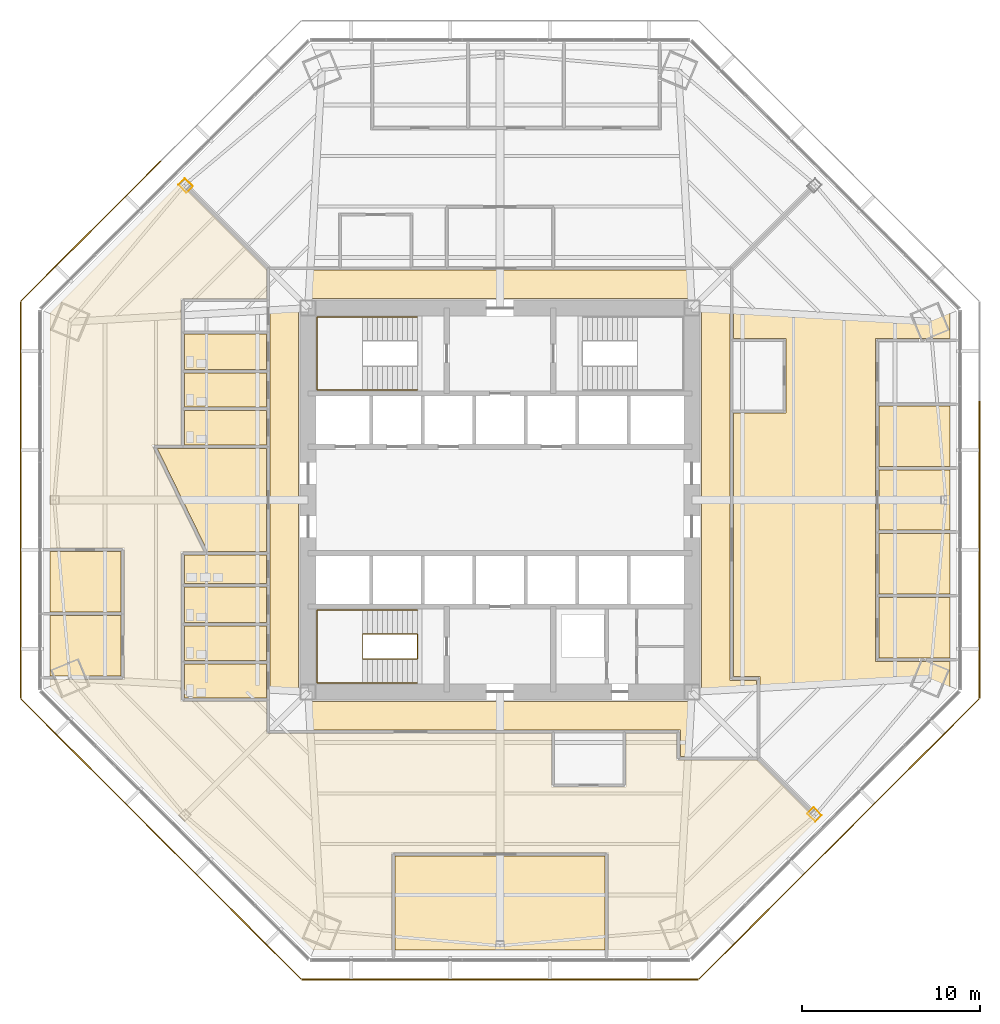
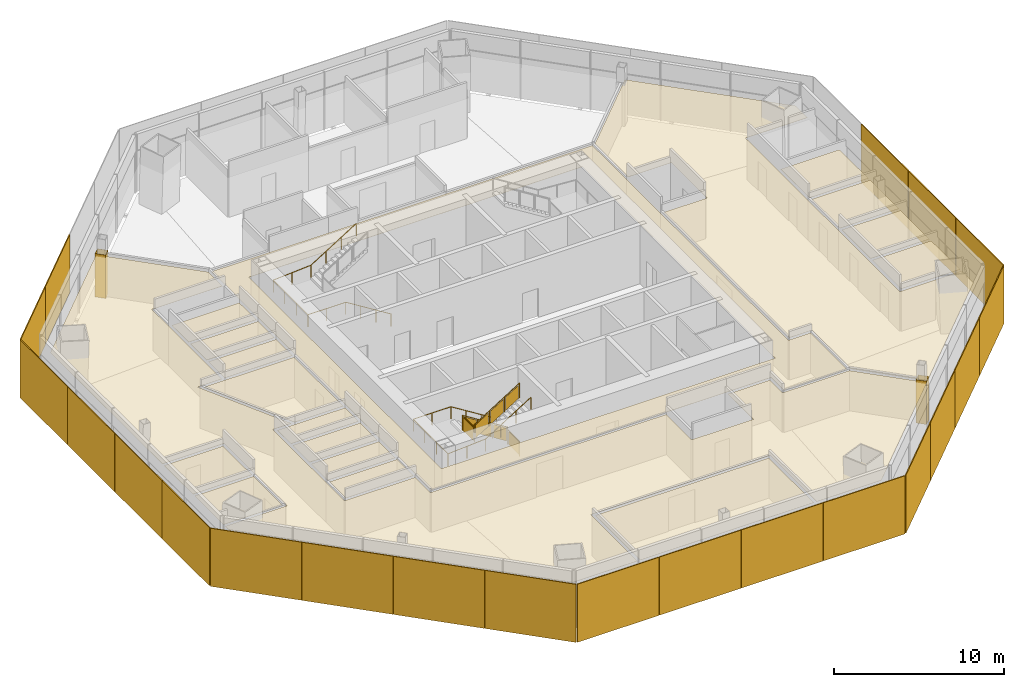
# One storey, part 13 of 15: 21 shading devices, 20 coverings, 3 railings.
"""IFC4 building model written with IfcOpenShell, lengths in metres."""

from ifc_helpers import new_model, si_unit, direction, frame, origin, origin_2d, place, context, subcontext, project, spatial, polyline, rectangle, circle, outline, extrude, source, transform, mapped, material, layer, layer_set, type_object, type_shapes, element, save


model = new_model("IFC4")

# Units and contexts
model_context = context("Model", 3, precision=1e-05, world=origin(), true_north=direction((0.0, 1.0)))
body_context = subcontext(model_context, "Body", "Model", "MODEL_VIEW")
ifc_project = project(units=[si_unit("LENGTHUNIT", "METRE"), si_unit("AREAUNIT", "SQUARE_METRE"), si_unit("VOLUMEUNIT", "CUBIC_METRE"), si_unit("PLANEANGLEUNIT", "RADIAN"), si_unit("MASSUNIT", "GRAM", prefix="KILO")], contexts=[model_context])

# Site, building, storey
site_placement = place(None, origin())
site = spatial("IfcSite", under=ifc_project, at=site_placement, CompositionType="ELEMENT")
building_placement = place(site_placement, origin())
building = spatial("IfcBuilding", under=site, at=building_placement, Name="Mashrafa Tower", CompositionType="ELEMENT")
storey_placement = place(building_placement, frame((0.0, 0.0, 75.0)))
storey = spatial("IfcBuildingStorey", under=building, at=storey_placement, Name="L16", CompositionType="ELEMENT", Elevation=75.0)

# Coverings
ifc_material_1 = material(Name="Gypsum board")
ifc_layer_1 = layer(ifc_material_1, 0.014892578125)
ifc_layer_set_1 = layer_set([ifc_layer_1], Name="Column casing plasterboard 15")
covering_type_1 = type_object("IfcCoveringType", Name="Column casing plasterboard 15", PredefinedType="CLADDING", material=ifc_layer_set_1)
covering_1_placement = place(storey_placement, origin())
element("IfcCovering", 1, at=covering_1_placement, inside=storey, type_object=covering_type_1, Name="Column casing L16-002", PredefinedType="CLADDING", context=body_context, shape_type="SweptSolid", body=[
    extrude(outline(polyline([(-18.118408203125, 17.74365234375), (-17.74365234375, 18.118408203125), (-17.28466796875, 17.659423828125), (-17.659423828125, 17.28466796875), (-18.118408203125, 17.74365234375)]), holes=[polyline([(-17.305908203125, 17.659423828125), (-17.74365234375, 18.09716796875), (-18.09716796875, 17.74365234375), (-17.659423828125, 17.305908203125), (-17.305908203125, 17.659423828125)])]), origin(), (0.0, 0.0, 1.0), 3.113037109375),
])
covering_2_placement = place(storey_placement, origin())
element("IfcCovering", 2, at=covering_2_placement, inside=storey, type_object=covering_type_1, Name="Column casing L16-003", PredefinedType="CLADDING", context=body_context, shape_type="SweptSolid", body=[
    extrude(outline(polyline([(17.28466796875, -17.659423828125), (17.659423828125, -17.28466796875), (18.118408203125, -17.74365234375), (17.74365234375, -18.118408203125), (17.28466796875, -17.659423828125)]), holes=[polyline([(18.09716796875, -17.74365234375), (17.659423828125, -17.305908203125), (17.305908203125, -17.659423828125), (17.74365234375, -18.09716796875), (18.09716796875, -17.74365234375)])]), origin(), (0.0, 0.0, 1.0), 3.113037109375),
])

# Railings
ifc_material_2 = material(Name="Steel guard with glass infill", Category="steel")
railing_type_1 = type_object("IfcRailingType", Name="Stair guard 1100", PredefinedType="GUARDRAIL", material=ifc_material_2)
railing_1_placement = place(storey_placement, frame((-4.64990234375, -8.949951171875, 0.0)))
element("IfcRailing", 3, at=railing_1_placement, inside=storey, type_object=railing_type_1, Name="Stair S3 guard L16", PredefinedType="GUARDRAIL", context=body_context, shape_type="SweptSolid", body=[
    extrude(circle(Radius=0.02392578125, at=origin_2d()), frame((0.0, 0.0, 1.076171875), z_axis=(0.0, 1.0, 0.0), x_axis=(-1.0, 0.0, 0.0)), (0.0, 0.0, 1.0), 1.39990234375),
    extrude(circle(Radius=0.02392578125, at=origin_2d()), frame((0.0, 1.39990234375, 1.076171875), z_axis=(0.0, 0.0, 1.0), x_axis=(1.0, 0.0, 0.0)), (0.0, 0.0, 1.0), 0.175048828125),
    extrude(circle(Radius=0.02392578125, at=origin_2d()), frame((0.0, 1.39990234375, 1.2509765625), z_axis=(-0.847998304005, 0.0, 0.529998940003), x_axis=(0.0, -1.0, 0.0)), (0.0, 0.0, 1.0), 3.632080078125),
    extrude(circle(Radius=0.02392578125, at=origin_2d()), frame((-3.080078125, 1.39990234375, 3.17626953125), z_axis=(0.0, -1.0, 0.0), x_axis=(1.0, 0.0, 0.0)), (0.0, 0.0, 1.0), 1.39990234375),
    extrude(circle(Radius=0.02392578125, at=origin_2d()), frame((-3.080078125, 0.0, 3.17626953125), z_axis=(0.0, 0.0, 1.0), x_axis=(1.0, 0.0, 0.0)), (0.0, 0.0, 1.0), 0.1748046875),
    extrude(circle(Radius=0.02392578125, at=origin_2d()), frame((-3.080078125, 0.0, 3.35107421875), z_axis=(0.847998304005, 0.0, 0.529998940003), x_axis=(0.0, 1.0, 0.0)), (0.0, 0.0, 1.0), 3.632080078125),
    extrude(circle(Radius=0.02099609375, at=origin_2d()), origin(), (0.0, 0.0, 1.0), 1.052001953125),
    extrude(circle(Radius=0.02099609375, at=origin_2d()), frame((0.0, 1.39990234375, 0.0)), (0.0, 0.0, 1.0), 1.052001953125),
    extrude(circle(Radius=0.02099609375, at=origin_2d()), frame((0.0, 1.39990234375, 0.175048828125)), (0.0, 0.0, 1.0), 1.052001953125),
    extrude(circle(Radius=0.02099609375, at=origin_2d()), frame((-1.026611328125, 1.39990234375, 0.816650390625)), (0.0, 0.0, 1.0), 1.052001953125),
    extrude(circle(Radius=0.02099609375, at=origin_2d()), frame((-2.053466796875, 1.39990234375, 1.45849609375)), (0.0, 0.0, 1.0), 1.052001953125),
    extrude(circle(Radius=0.02099609375, at=origin_2d()), frame((-3.080078125, 1.39990234375, 2.10009765625)), (0.0, 0.0, 1.0), 1.052001953125),
    extrude(circle(Radius=0.02099609375, at=origin_2d()), frame((-3.080078125, 0.0, 2.10009765625)), (0.0, 0.0, 1.0), 1.052001953125),
    extrude(circle(Radius=0.02099609375, at=origin_2d()), frame((-3.080078125, 0.0, 2.27490234375)), (0.0, 0.0, 1.0), 1.052001953125),
    extrude(circle(Radius=0.02099609375, at=origin_2d()), frame((-2.053466796875, 0.0, 2.91650390625)), (0.0, 0.0, 1.0), 1.052001953125),
    extrude(circle(Radius=0.02099609375, at=origin_2d()), frame((-1.026611328125, 0.0, 3.558349609375)), (0.0, 0.0, 1.0), 1.052001953125),
    extrude(circle(Radius=0.02099609375, at=origin_2d()), frame((0.0, 0.0, 4.199951171875)), (0.0, 0.0, 1.0), 1.052001953125),
    extrude(outline(polyline([(0.071044921875, 0.050048828125), (1.328857421875, 0.050048828125), (1.328857421875, 1.001953125), (0.071044921875, 1.001953125), (0.071044921875, 0.050048828125)])), frame((0.006103515625, 0.0, 0.0), z_axis=(1.0, 0.0, 0.0), x_axis=(0.0, 1.0, 0.0)), (0.0, 0.0, 1.0), 0.011962890625),
    extrude(outline(polyline([(0.071044921875, 0.094482421875), (0.955810546875, 0.647216796875), (0.955810546875, 1.599365234375), (0.071044921875, 1.04638671875), (0.071044921875, 0.094482421875)])), frame((0.0, 1.406005859375, 0.175048828125), z_axis=(0.0, 1.0, 0.0), x_axis=(-1.0, 0.0, 0.0)), (0.0, 0.0, 1.0), 0.011962890625),
    extrude(outline(polyline([(1.09765625, 0.736083984375), (1.982421875, 1.2890625), (1.982421875, 2.240966796875), (1.09765625, 1.68798828125), (1.09765625, 0.736083984375)])), frame((0.0, 1.406005859375, 0.175048828125), z_axis=(0.0, 1.0, 0.0), x_axis=(-1.0, 0.0, 0.0)), (0.0, 0.0, 1.0), 0.011962890625),
    extrude(outline(polyline([(2.124267578125, 1.377685546875), (3.009033203125, 1.9306640625), (3.009033203125, 2.882568359375), (2.124267578125, 2.329833984375), (2.124267578125, 1.377685546875)])), frame((0.0, 1.406005859375, 0.175048828125), z_axis=(0.0, 1.0, 0.0), x_axis=(-1.0, 0.0, 0.0)), (0.0, 0.0, 1.0), 0.011962890625),
    extrude(outline(polyline([(0.071044921875, 0.050048828125), (1.328857421875, 0.050048828125), (1.328857421875, 1.001953125), (0.071044921875, 1.001953125), (0.071044921875, 0.050048828125)])), frame((-3.086181640625, 1.39990234375, 2.10009765625), z_axis=(-1.0, 0.0, 0.0), x_axis=(0.0, -1.0, 0.0)), (0.0, 0.0, 1.0), 0.011962890625),
    extrude(outline(polyline([(0.071044921875, 0.094482421875), (0.955810546875, 0.647216796875), (0.955810546875, 1.599365234375), (0.071044921875, 1.04638671875), (0.071044921875, 0.094482421875)])), frame((-3.080078125, -0.006103515625, 2.27490234375), z_axis=(0.0, -1.0, 0.0), x_axis=(1.0, 0.0, 0.0)), (0.0, 0.0, 1.0), 0.011962890625),
    extrude(outline(polyline([(1.09765625, 0.736083984375), (1.982421875, 1.2890625), (1.982421875, 2.240966796875), (1.09765625, 1.68798828125), (1.09765625, 0.736083984375)])), frame((-3.080078125, -0.006103515625, 2.27490234375), z_axis=(0.0, -1.0, 0.0), x_axis=(1.0, 0.0, 0.0)), (0.0, 0.0, 1.0), 0.011962890625),
    extrude(outline(polyline([(2.124267578125, 1.377685546875), (3.009033203125, 1.9306640625), (3.009033203125, 2.882568359375), (2.124267578125, 2.329833984375), (2.124267578125, 1.377685546875)])), frame((-3.080078125, -0.006103515625, 2.27490234375), z_axis=(0.0, -1.0, 0.0), x_axis=(1.0, 0.0, 0.0)), (0.0, 0.0, 1.0), 0.011962890625),
])
ifc_material_3 = material(Name="Steel", Category="steel")
railing_type_2 = type_object("IfcRailingType", Name="Stair handrail 900", PredefinedType="HANDRAIL", material=ifc_material_3)
railing_2_placement = place(storey_placement, frame((-4.64990234375, 6.199951171875, 0.175048828125)))
element("IfcRailing", 4, at=railing_2_placement, inside=storey, type_object=railing_type_2, Name="Stair S1 handrail L16", PredefinedType="HANDRAIL", context=body_context, shape_type="SweptSolid", body=[
    extrude(circle(Radius=0.02392578125, at=origin_2d()), frame((0.0, 0.0, 0.8759765625), z_axis=(-0.847998304005, 0.0, 0.529998940003), x_axis=(0.0, -1.0, 0.0)), (0.0, 0.0, 1.0), 3.632080078125),
    extrude(circle(Radius=0.02392578125, at=origin_2d()), frame((-3.080078125, 0.0, 2.80078125), z_axis=(-1.0, 0.0, 0.0), x_axis=(0.0, -1.0, 0.0)), (0.0, 0.0, 1.0), 2.570068359375),
    extrude(circle(Radius=0.02392578125, at=origin_2d()), frame((-5.650146484375, 0.0, 2.80078125), z_axis=(0.0, 1.0, 0.0), x_axis=(-1.0, 0.0, 0.0)), (0.0, 0.0, 1.0), 4.10009765625),
    extrude(circle(Radius=0.02392578125, at=origin_2d()), frame((-5.650146484375, 4.10009765625, 2.80078125), z_axis=(0.99769493506, 0.0, 0.067858798661), x_axis=(0.0, 1.0, 0.0)), (0.0, 0.0, 1.0), 2.575927734375),
    extrude(circle(Radius=0.02392578125, at=origin_2d()), frame((-3.080078125, 4.10009765625, 2.9755859375), z_axis=(0.847998304005, 0.0, 0.529998940003), x_axis=(0.0, 1.0, 0.0)), (0.0, 0.0, 1.0), 3.632080078125),
    extrude(circle(Radius=0.02099609375, at=origin_2d()), origin(), (0.0, 0.0, 1.0), 0.851806640625),
    extrude(circle(Radius=0.02099609375, at=origin_2d()), frame((-1.026611328125, 0.0, 0.6416015625)), (0.0, 0.0, 1.0), 0.851806640625),
    extrude(circle(Radius=0.02099609375, at=origin_2d()), frame((-2.053466796875, 0.0, 1.283447265625)), (0.0, 0.0, 1.0), 0.851806640625),
    extrude(circle(Radius=0.02099609375, at=origin_2d()), frame((-3.080078125, 0.0, 1.925048828125)), (0.0, 0.0, 1.0), 0.851806640625),
    extrude(circle(Radius=0.02099609375, at=origin_2d()), frame((-4.365234375, 0.0, 1.925048828125)), (0.0, 0.0, 1.0), 0.851806640625),
    extrude(circle(Radius=0.02099609375, at=origin_2d()), frame((-5.650146484375, 0.0, 1.925048828125)), (0.0, 0.0, 1.0), 0.851806640625),
    extrude(circle(Radius=0.02099609375, at=origin_2d()), frame((-5.650146484375, 1.36669921875, 1.925048828125)), (0.0, 0.0, 1.0), 0.851806640625),
    extrude(circle(Radius=0.02099609375, at=origin_2d()), frame((-5.650146484375, 2.7333984375, 1.925048828125)), (0.0, 0.0, 1.0), 0.851806640625),
    extrude(circle(Radius=0.02099609375, at=origin_2d()), frame((-5.650146484375, 4.10009765625, 1.925048828125)), (0.0, 0.0, 1.0), 0.851806640625),
    extrude(circle(Radius=0.02099609375, at=origin_2d()), frame((-4.365234375, 4.10009765625, 2.012451171875)), (0.0, 0.0, 1.0), 0.851806640625),
    extrude(circle(Radius=0.02099609375, at=origin_2d()), frame((-3.080078125, 4.10009765625, 2.099853515625)), (0.0, 0.0, 1.0), 0.851806640625),
    extrude(circle(Radius=0.02099609375, at=origin_2d()), frame((-2.053466796875, 4.10009765625, 2.741455078125)), (0.0, 0.0, 1.0), 0.851806640625),
    extrude(circle(Radius=0.02099609375, at=origin_2d()), frame((-1.026611328125, 4.10009765625, 3.38330078125)), (0.0, 0.0, 1.0), 0.851806640625),
    extrude(circle(Radius=0.02099609375, at=origin_2d()), frame((0.0, 4.10009765625, 4.02490234375)), (0.0, 0.0, 1.0), 0.851806640625),
])
railing_3_placement = place(storey_placement, frame((-4.64990234375, -6.199951171875, 0.175048828125)))
element("IfcRailing", 5, at=railing_3_placement, inside=storey, type_object=railing_type_2, Name="Stair S3 handrail L16", PredefinedType="HANDRAIL", context=body_context, shape_type="SweptSolid", body=[
    extrude(circle(Radius=0.02392578125, at=origin_2d()), frame((0.0, 0.0, 0.8759765625), z_axis=(-0.847998304005, 0.0, 0.529998940003), x_axis=(0.0, -1.0, 0.0)), (0.0, 0.0, 1.0), 3.632080078125),
    extrude(circle(Radius=0.02392578125, at=origin_2d()), frame((-3.080078125, 0.0, 2.80078125), z_axis=(-1.0, 0.0, 0.0), x_axis=(0.0, -1.0, 0.0)), (0.0, 0.0, 1.0), 2.570068359375),
    extrude(circle(Radius=0.02392578125, at=origin_2d()), frame((-5.650146484375, 0.0, 2.80078125), z_axis=(0.0, -1.0, 0.0), x_axis=(1.0, 0.0, 0.0)), (0.0, 0.0, 1.0), 4.10009765625),
    extrude(circle(Radius=0.02392578125, at=origin_2d()), frame((-5.650146484375, -4.10009765625, 2.80078125), z_axis=(0.99769493506, 0.0, 0.067858798661), x_axis=(0.0, 1.0, 0.0)), (0.0, 0.0, 1.0), 2.575927734375),
    extrude(circle(Radius=0.02392578125, at=origin_2d()), frame((-3.080078125, -4.10009765625, 2.9755859375), z_axis=(0.847998304005, 0.0, 0.529998940003), x_axis=(0.0, 1.0, 0.0)), (0.0, 0.0, 1.0), 3.632080078125),
    extrude(circle(Radius=0.02099609375, at=origin_2d()), origin(), (0.0, 0.0, 1.0), 0.851806640625),
    extrude(circle(Radius=0.02099609375, at=origin_2d()), frame((-1.026611328125, 0.0, 0.6416015625)), (0.0, 0.0, 1.0), 0.851806640625),
    extrude(circle(Radius=0.02099609375, at=origin_2d()), frame((-2.053466796875, 0.0, 1.283447265625)), (0.0, 0.0, 1.0), 0.851806640625),
    extrude(circle(Radius=0.02099609375, at=origin_2d()), frame((-3.080078125, 0.0, 1.925048828125)), (0.0, 0.0, 1.0), 0.851806640625),
    extrude(circle(Radius=0.02099609375, at=origin_2d()), frame((-4.365234375, 0.0, 1.925048828125)), (0.0, 0.0, 1.0), 0.851806640625),
    extrude(circle(Radius=0.02099609375, at=origin_2d()), frame((-5.650146484375, 0.0, 1.925048828125)), (0.0, 0.0, 1.0), 0.851806640625),
    extrude(circle(Radius=0.02099609375, at=origin_2d()), frame((-5.650146484375, -1.36669921875, 1.925048828125)), (0.0, 0.0, 1.0), 0.851806640625),
    extrude(circle(Radius=0.02099609375, at=origin_2d()), frame((-5.650146484375, -2.7333984375, 1.925048828125)), (0.0, 0.0, 1.0), 0.851806640625),
    extrude(circle(Radius=0.02099609375, at=origin_2d()), frame((-5.650146484375, -4.10009765625, 1.925048828125)), (0.0, 0.0, 1.0), 0.851806640625),
    extrude(circle(Radius=0.02099609375, at=origin_2d()), frame((-4.365234375, -4.10009765625, 2.012451171875)), (0.0, 0.0, 1.0), 0.851806640625),
    extrude(circle(Radius=0.02099609375, at=origin_2d()), frame((-3.080078125, -4.10009765625, 2.099853515625)), (0.0, 0.0, 1.0), 0.851806640625),
    extrude(circle(Radius=0.02099609375, at=origin_2d()), frame((-2.053466796875, -4.10009765625, 2.741455078125)), (0.0, 0.0, 1.0), 0.851806640625),
    extrude(circle(Radius=0.02099609375, at=origin_2d()), frame((-1.026611328125, -4.10009765625, 3.38330078125)), (0.0, 0.0, 1.0), 0.851806640625),
    extrude(circle(Radius=0.02099609375, at=origin_2d()), frame((0.0, -4.10009765625, 4.02490234375)), (0.0, 0.0, 1.0), 0.851806640625),
])

# Coverings
ifc_material_4 = material(Name="Mineral fibre tile on suspension grid")
ifc_layer_2 = layer(ifc_material_4, 0.014892578125)
ifc_layer_set_2 = layer_set([ifc_layer_2], Name="Suspended ceiling mineral tile 15")
covering_type_2 = type_object("IfcCoveringType", Name="Suspended ceiling mineral tile 15", PredefinedType="CEILING", material=ifc_layer_set_2)
covering_3_placement = place(storey_placement, frame((0.0, 0.0, 2.89990234375)))
element("IfcCovering", 6, at=covering_3_placement, inside=storey, type_object=covering_type_2, Name="Ceiling Office Corridor L16", PredefinedType="CEILING", context=body_context, shape_type="SweptSolid", body=[
    extrude(outline(polyline([(14.449951171875, -10.14990234375), (14.449951171875, -14.449951171875), (10.14990234375, -14.449951171875), (10.14990234375, -12.949951171875), (-12.949951171875, -12.949951171875), (-12.949951171875, 12.949951171875), (12.949951171875, 12.949951171875), (12.949951171875, -10.14990234375), (14.449951171875, -10.14990234375)]), holes=[polyline([(11.35009765625, 11.35009765625), (-11.35009765625, 11.35009765625), (-11.35009765625, -11.35009765625), (11.35009765625, -11.35009765625), (11.35009765625, 11.35009765625)])]), origin(), (0.0, 0.0, 1.0), 0.01513671875),
])
covering_4_placement = place(storey_placement, frame((0.0, 0.0, 2.89990234375)))
element("IfcCovering", 7, at=covering_4_placement, inside=storey, type_object=covering_type_2, Name="Ceiling WC Female L16 N", PredefinedType="CEILING", context=body_context, shape_type="SweptSolid", body=[
    extrude(outline(polyline([(-17.75, 3.10009765625), (-17.75, 5.02490234375), (-13.14990234375, 5.02490234375), (-13.14990234375, 3.10009765625), (-17.75, 3.10009765625)])), origin(), (0.0, 0.0, 1.0), 0.01513671875),
])
covering_5_placement = place(storey_placement, frame((0.0, 0.0, 2.89990234375)))
element("IfcCovering", 8, at=covering_5_placement, inside=storey, type_object=covering_type_2, Name="Ceiling WC Male L16 N", PredefinedType="CEILING", context=body_context, shape_type="SweptSolid", body=[
    extrude(outline(polyline([(-17.75, 5.22509765625), (-17.75, 7.14990234375), (-13.14990234375, 7.14990234375), (-13.14990234375, 5.22509765625), (-17.75, 5.22509765625)])), origin(), (0.0, 0.0, 1.0), 0.01513671875),
])
covering_6_placement = place(storey_placement, frame((0.0, 0.0, 2.89990234375)))
element("IfcCovering", 9, at=covering_6_placement, inside=storey, type_object=covering_type_2, Name="Ceiling Accessible WC L16 N", PredefinedType="CEILING", context=body_context, shape_type="SweptSolid", body=[
    extrude(outline(polyline([(-17.75, 7.35009765625), (-17.75, 9.35009765625), (-13.14990234375, 9.35009765625), (-13.14990234375, 7.35009765625), (-17.75, 7.35009765625)])), origin(), (0.0, 0.0, 1.0), 0.01513671875),
])
covering_7_placement = place(storey_placement, frame((0.0, 0.0, 2.89990234375)))
element("IfcCovering", 10, at=covering_7_placement, inside=storey, type_object=covering_type_2, Name="Ceiling WC Female L16 S", PredefinedType="CEILING", context=body_context, shape_type="SweptSolid", body=[
    extrude(outline(polyline([(-17.75, -11.14990234375), (-17.75, -9.22509765625), (-13.14990234375, -9.22509765625), (-13.14990234375, -11.14990234375), (-17.75, -11.14990234375)])), origin(), (0.0, 0.0, 1.0), 0.01513671875),
])
covering_8_placement = place(storey_placement, frame((0.0, 0.0, 2.89990234375)))
element("IfcCovering", 11, at=covering_8_placement, inside=storey, type_object=covering_type_2, Name="Ceiling WC Male L16 S", PredefinedType="CEILING", context=body_context, shape_type="SweptSolid", body=[
    extrude(outline(polyline([(-17.75, -9.02490234375), (-17.75, -7.10009765625), (-13.14990234375, -7.10009765625), (-13.14990234375, -9.02490234375), (-17.75, -9.02490234375)])), origin(), (0.0, 0.0, 1.0), 0.01513671875),
])
covering_9_placement = place(storey_placement, frame((0.0, 0.0, 2.89990234375)))
element("IfcCovering", 12, at=covering_9_placement, inside=storey, type_object=covering_type_2, Name="Ceiling Accessible WC L16 S", PredefinedType="CEILING", context=body_context, shape_type="SweptSolid", body=[
    extrude(outline(polyline([(-17.75, -6.89990234375), (-17.75, -4.89990234375), (-13.14990234375, -4.89990234375), (-13.14990234375, -6.89990234375), (-17.75, -6.89990234375)])), origin(), (0.0, 0.0, 1.0), 0.01513671875),
])
covering_10_placement = place(storey_placement, frame((0.0, 0.0, 2.89990234375)))
element("IfcCovering", 13, at=covering_10_placement, inside=storey, type_object=covering_type_2, Name="Ceiling Ablution Room L16 S", PredefinedType="CEILING", context=body_context, shape_type="SweptSolid", body=[
    extrude(outline(polyline([(-17.75, -4.699951171875), (-17.75, -3.10009765625), (-13.14990234375, -3.10009765625), (-13.14990234375, -4.699951171875), (-17.75, -4.699951171875)])), origin(), (0.0, 0.0, 1.0), 0.01513671875),
])
covering_11_placement = place(storey_placement, frame((0.0, 0.0, 2.89990234375)))
element("IfcCovering", 14, at=covering_11_placement, inside=storey, type_object=covering_type_2, Name="Ceiling Musallah Prayer Room 16", PredefinedType="CEILING", context=body_context, shape_type="SweptSolid", body=[
    extrude(outline(polyline([(-16.461181640625, -2.89990234375), (-19.2900390625, 2.89990234375), (-13.14990234375, 2.89990234375), (-13.14990234375, -2.89990234375), (-16.461181640625, -2.89990234375)])), origin(), (0.0, 0.0, 1.0), 0.01513671875),
])
covering_12_placement = place(storey_placement, frame((0.0, 0.0, 2.89990234375)))
element("IfcCovering", 15, at=covering_12_placement, inside=storey, type_object=covering_type_2, Name="Ceiling Meeting Room 16-S", PredefinedType="CEILING", context=body_context, shape_type="SweptSolid", body=[
    extrude(outline(polyline([(-5.89990234375, -20.043212890625), (5.89990234375, -20.043212890625), (5.89990234375, -25.343017578125), (-5.89990234375, -25.343017578125), (-5.89990234375, -20.043212890625)])), origin(), (0.0, 0.0, 1.0), 0.01513671875),
])
covering_13_placement = place(storey_placement, frame((0.0, 0.0, 2.89990234375)))
element("IfcCovering", 16, at=covering_13_placement, inside=storey, type_object=covering_type_2, Name="Ceiling Office 16-E-1", PredefinedType="CEILING", context=body_context, shape_type="SweptSolid", body=[
    extrude(outline(polyline([(21.343017578125, -5.5), (25.343017578125, -5.5), (25.343017578125, -8.89990234375), (21.343017578125, -8.89990234375), (21.343017578125, -5.5)])), origin(), (0.0, 0.0, 1.0), 0.01513671875),
])
covering_14_placement = place(storey_placement, frame((0.0, 0.0, 2.89990234375)))
element("IfcCovering", 17, at=covering_14_placement, inside=storey, type_object=covering_type_2, Name="Ceiling Office 16-E-2", PredefinedType="CEILING", context=body_context, shape_type="SweptSolid", body=[
    extrude(outline(polyline([(21.343017578125, -1.89990234375), (25.343017578125, -1.89990234375), (25.343017578125, -5.300048828125), (21.343017578125, -5.300048828125), (21.343017578125, -1.89990234375)])), origin(), (0.0, 0.0, 1.0), 0.01513671875),
])
covering_15_placement = place(storey_placement, frame((0.0, 0.0, 2.89990234375)))
element("IfcCovering", 18, at=covering_15_placement, inside=storey, type_object=covering_type_2, Name="Ceiling Office 16-E-3", PredefinedType="CEILING", context=body_context, shape_type="SweptSolid", body=[
    extrude(outline(polyline([(21.343017578125, 1.699951171875), (25.343017578125, 1.699951171875), (25.343017578125, -1.699951171875), (21.343017578125, -1.699951171875), (21.343017578125, 1.699951171875)])), origin(), (0.0, 0.0, 1.0), 0.01513671875),
])
covering_16_placement = place(storey_placement, frame((0.0, 0.0, 2.89990234375)))
element("IfcCovering", 19, at=covering_16_placement, inside=storey, type_object=covering_type_2, Name="Ceiling Office 16-E-4", PredefinedType="CEILING", context=body_context, shape_type="SweptSolid", body=[
    extrude(outline(polyline([(21.343017578125, 5.300048828125), (25.343017578125, 5.300048828125), (25.343017578125, 1.89990234375), (21.343017578125, 1.89990234375), (21.343017578125, 5.300048828125)])), origin(), (0.0, 0.0, 1.0), 0.01513671875),
])
covering_17_placement = place(storey_placement, frame((0.0, 0.0, 2.89990234375)))
element("IfcCovering", 20, at=covering_17_placement, inside=storey, type_object=covering_type_2, Name="Ceiling Office 16-S-1", PredefinedType="CEILING", context=body_context, shape_type="SweptSolid", body=[
    extrude(outline(polyline([(-21.343017578125, -2.906005859375), (-21.343017578125, -6.305908203125), (-25.343017578125, -6.305908203125), (-25.343017578125, -2.906005859375), (-21.343017578125, -2.906005859375)])), origin(), (0.0, 0.0, 1.0), 0.01513671875),
])
covering_18_placement = place(storey_placement, frame((0.0, 0.0, 2.89990234375)))
element("IfcCovering", 21, at=covering_18_placement, inside=storey, type_object=covering_type_2, Name="Ceiling Office 16-S-2", PredefinedType="CEILING", context=body_context, shape_type="SweptSolid", body=[
    extrude(outline(polyline([(-21.343017578125, -6.506103515625), (-21.343017578125, -9.906005859375), (-25.343017578125, -9.906005859375), (-25.343017578125, -6.506103515625), (-21.343017578125, -6.506103515625)])), origin(), (0.0, 0.0, 1.0), 0.01513671875),
])
covering_19_placement = place(storey_placement, frame((0.0, 0.0, 2.89990234375)))
element("IfcCovering", 22, at=covering_19_placement, inside=storey, type_object=covering_type_2, Name="Ceiling Office Tenancy 16-E", PredefinedType="CEILING", context=body_context, shape_type="SweptSolid", body=[
    extrude(outline(polyline([(13.14990234375, 13.008544921875), (17.990966796875, 17.849609375), (25.343017578125, 10.497314453125), (25.343017578125, 9.10009765625), (21.14306640625, 9.10009765625), (21.14306640625, -9.10009765625), (25.343017578125, -9.10009765625), (25.343017578125, -10.497314453125), (17.990966796875, -17.849609375), (14.64990234375, -14.508544921875), (14.64990234375, -9.949951171875), (13.14990234375, -9.949951171875), (13.14990234375, 4.89990234375), (16.10009765625, 4.89990234375), (16.10009765625, 9.10009765625), (13.14990234375, 9.10009765625), (13.14990234375, 13.008544921875)])), origin(), (0.0, 0.0, 1.0), 0.01513671875),
])
covering_20_placement = place(storey_placement, frame((0.0, 0.0, 2.89990234375)))
element("IfcCovering", 23, at=covering_20_placement, inside=storey, type_object=covering_type_2, Name="Ceiling Office Tenancy 16-S", PredefinedType="CEILING", context=body_context, shape_type="SweptSolid", body=[
    extrude(outline(polyline([(14.508544921875, -14.64990234375), (17.849609375, -17.990966796875), (10.497314453125, -25.343017578125), (6.10009765625, -25.343017578125), (6.10009765625, -19.843017578125), (-6.10009765625, -19.843017578125), (-6.10009765625, -25.343017578125), (-10.497314453125, -25.343017578125), (-25.343017578125, -10.497314453125), (-25.343017578125, -10.10595703125), (-21.14306640625, -10.10595703125), (-21.14306640625, -2.7060546875), (-25.343017578125, -2.7060546875), (-25.343017578125, 10.497314453125), (-17.990966796875, 17.849609375), (-13.14990234375, 13.008544921875), (-13.14990234375, 11.35009765625), (-17.949951171875, 11.35009765625), (-17.949951171875, 3.10009765625), (-19.610107421875, 3.10009765625), (-16.68359375, -2.89990234375), (-17.949951171875, -2.89990234375), (-17.949951171875, -11.35009765625), (-13.14990234375, -11.35009765625), (-13.14990234375, -13.14990234375), (2.89990234375, -13.14990234375), (2.89990234375, -16.14990234375), (7.10009765625, -16.14990234375), (7.10009765625, -13.14990234375), (9.949951171875, -13.14990234375), (9.949951171875, -14.64990234375), (14.508544921875, -14.64990234375)])), origin(), (0.0, 0.0, 1.0), 0.01513671875),
])

# Shading devices
ifc_material_5 = material(Name="Perforated aluminium plate, eight-point star pattern", Category="aluminium")
ifc_layer_3 = layer(ifc_material_5, 0.06005859375)
ifc_layer_set_3 = layer_set([ifc_layer_3], Name="Mashrabiya screen panel office zone 1, 45 percent open")
shading_device_type = type_object("IfcShadingDeviceType", Name="Mashrabiya screen panel office zone 1, 45 percent open", PredefinedType="SHUTTER", material=ifc_layer_set_3)
shared_shape = source(origin(), body_context, "Body", "SweptSolid", [
    extrude(rectangle(XDim=5.559326171875, YDim=0.06005859375, at=origin_2d()), origin(), (0.0, 0.0, 1.0), 4.179931640625),
])
type_shapes(shading_device_type, [shared_shape])
for number, where, z_axis, x_axis, name in (
    (24, (26.9931640625, -8.368896484375, -0.14990234375), (0.0, 0.0, 1.0), (0.0, 1.0, 0.0), "Mashrabiya screen L16 east 1"),
    (25, (26.9931640625, -2.78955078125, -0.14990234375), (0.0, 0.0, 1.0), (0.0, 1.0, 0.0), "Mashrabiya screen L16 east 2"),
    (26, (26.9931640625, 2.78955078125, -0.14990234375), (0.0, 0.0, 1.0), (0.0, 1.0, 0.0), "Mashrabiya screen L16 east 3"),
    (27, (-21.0595703125, 17.114501953125, -0.14990234375), (0.0, 0.0, 1.0), (-0.707106781187, -0.707106781187, 0.0), "Mashrabiya screen L16 north-west 3"),
    (28, (-25.004638671875, 13.169189453125, -0.14990234375), (0.0, 0.0, 1.0), (-0.707106781187, -0.707106781187, 0.0), "Mashrabiya screen L16 north-west 4"),
    (29, (-26.9931640625, 8.368896484375, -0.14990234375), (0.0, 0.0, 1.0), (0.0, -1.0, 0.0), "Mashrabiya screen L16 west 1"),
    (30, (-26.9931640625, 2.78955078125, -0.14990234375), (0.0, 0.0, 1.0), (0.0, -1.0, 0.0), "Mashrabiya screen L16 west 2"),
    (31, (-26.9931640625, -2.78955078125, -0.14990234375), (0.0, 0.0, 1.0), (0.0, -1.0, 0.0), "Mashrabiya screen L16 west 3"),
    (32, (-26.9931640625, -8.368896484375, -0.14990234375), (0.0, 0.0, 1.0), (0.0, -1.0, 0.0), "Mashrabiya screen L16 west 4"),
    (33, (-25.004638671875, -13.169189453125, -0.14990234375), (0.0, 0.0, 1.0), (0.707106781187, -0.707106781187, 0.0), "Mashrabiya screen L16 south-west 1"),
    (34, (-21.0595703125, -17.114501953125, -0.14990234375), (0.0, 0.0, 1.0), (0.707106781187, -0.707106781187, 0.0), "Mashrabiya screen L16 south-west 2"),
    (35, (-17.114501953125, -21.0595703125, -0.14990234375), (0.0, 0.0, 1.0), (0.707106781187, -0.707106781187, 0.0), "Mashrabiya screen L16 south-west 3"),
    (36, (-13.169189453125, -25.004638671875, -0.14990234375), (0.0, 0.0, 1.0), (0.707106781187, -0.707106781187, 0.0), "Mashrabiya screen L16 south-west 4"),
    (37, (-8.368896484375, -26.9931640625, -0.14990234375), (0.0, 0.0, 1.0), (1.0, 0.0, 0.0), "Mashrabiya screen L16 south 1"),
    (38, (-2.78955078125, -26.9931640625, -0.14990234375), (0.0, 0.0, 1.0), (1.0, 0.0, 0.0), "Mashrabiya screen L16 south 2"),
    (39, (2.78955078125, -26.9931640625, -0.14990234375), (0.0, 0.0, 1.0), (1.0, 0.0, 0.0), "Mashrabiya screen L16 south 3"),
    (40, (8.368896484375, -26.9931640625, -0.14990234375), (0.0, 0.0, 1.0), (1.0, 0.0, 0.0), "Mashrabiya screen L16 south 4"),
    (41, (13.169189453125, -25.004638671875, -0.14990234375), (0.0, 0.0, 1.0), (0.707106781187, 0.707106781187, 0.0), "Mashrabiya screen L16 south-east 1"),
    (42, (17.114501953125, -21.0595703125, -0.14990234375), (0.0, 0.0, 1.0), (0.707106781187, 0.707106781187, 0.0), "Mashrabiya screen L16 south-east 2"),
    (43, (21.0595703125, -17.114501953125, -0.14990234375), (0.0, 0.0, 1.0), (0.707106781187, 0.707106781187, 0.0), "Mashrabiya screen L16 south-east 3"),
    (44, (25.004638671875, -13.169189453125, -0.14990234375), (0.0, 0.0, 1.0), (0.707106781187, 0.707106781187, 0.0), "Mashrabiya screen L16 south-east 4"),
):
    element("IfcShadingDevice", number, at=place(storey_placement, frame(where, z_axis=z_axis, x_axis=x_axis)), inside=storey, type_object=shading_device_type, Name=name, PredefinedType="SHUTTER", context=body_context, shape_type="MappedRepresentation", body=[
        mapped(shared_shape, transform((0.0, 0.0, 0.0))),
    ])

save(model, "model.ifc")
